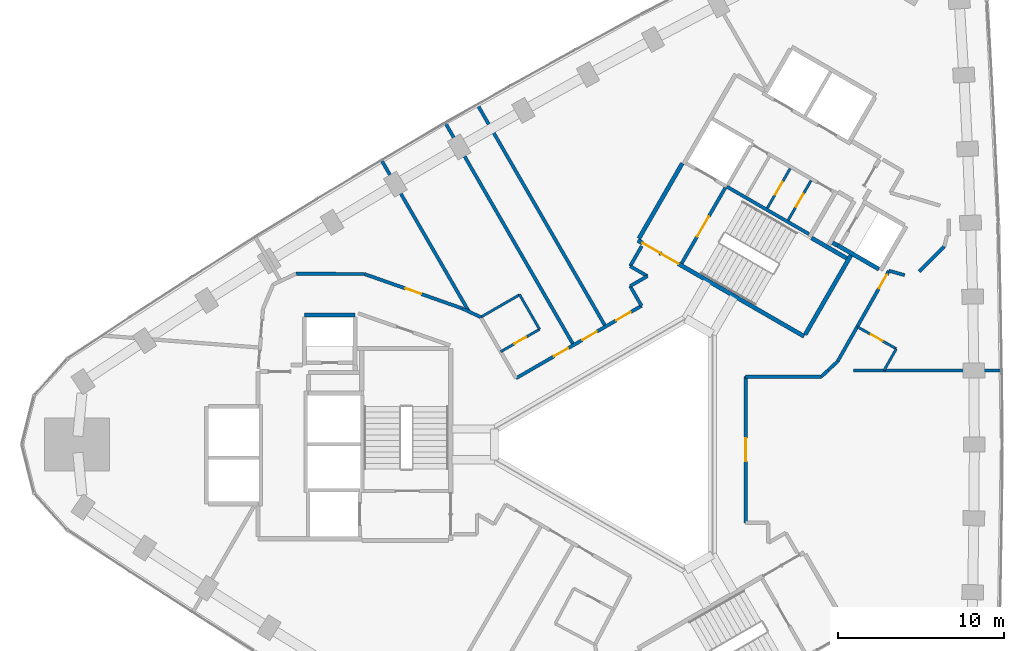
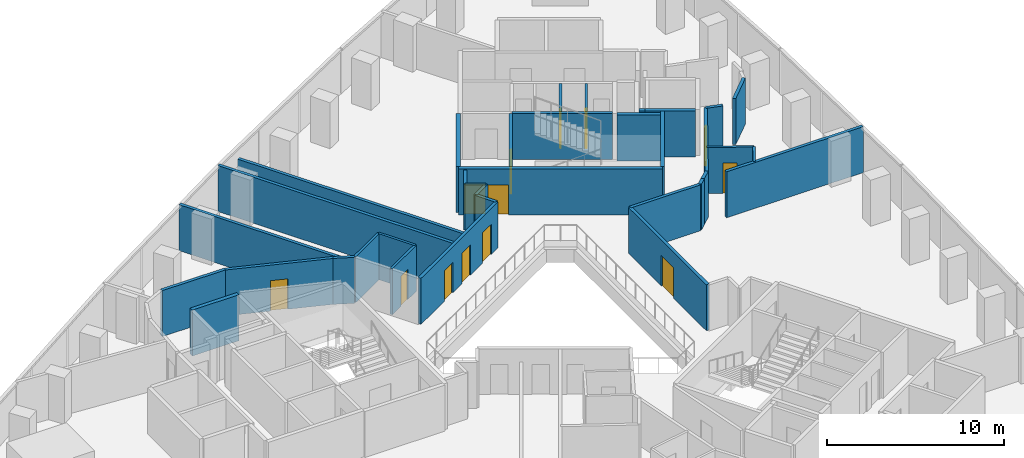
# One storey, part 10 of 12: 35 walls, 13 doors, 13 openings.
"""IFC4 building model written with IfcOpenShell, lengths in metres."""

from ifc_helpers import new_model, si_unit, direction, frame, frame_2d, origin, place, context, subcontext, project, spatial, rectangle, extrude, material, layer, layer_set, type_object, element, fill, save


model = new_model("IFC4")

# Units and contexts
model_context = context("Model", 3, precision=1e-05, world=origin(), true_north=direction((0.0, 1.0)))
body_context = subcontext(model_context, "Body", "Model", "MODEL_VIEW")
ifc_project = project(units=[si_unit("LENGTHUNIT", "METRE"), si_unit("AREAUNIT", "SQUARE_METRE"), si_unit("VOLUMEUNIT", "CUBIC_METRE"), si_unit("PLANEANGLEUNIT", "RADIAN"), si_unit("MASSUNIT", "GRAM", prefix="KILO")], contexts=[model_context])

# Site, building, storey
site_placement = place(None, origin())
site = spatial("IfcSite", under=ifc_project, at=site_placement, CompositionType="ELEMENT")
building_placement = place(site_placement, origin())
building = spatial("IfcBuilding", under=site, at=building_placement, Name="Tamra Quay Hotel Tower", CompositionType="ELEMENT")
storey_placement = place(building_placement, frame((0.0, 0.0, 83.0)))
storey = spatial("IfcBuildingStorey", under=building, at=storey_placement, Name="L19", CompositionType="ELEMENT", Elevation=83.0)

# Wall
ifc_material_1 = material(Name="Concrete M70", Category="concrete")
ifc_layer_1 = layer(ifc_material_1, 0.199951171875)
ifc_layer_set_1 = layer_set([ifc_layer_1], Name="Concrete M70 core wall 200")
wall_type_1 = type_object("IfcWallType", Name="Concrete M70 core wall 200", PredefinedType="SHEAR", material=ifc_layer_set_1)
wall_1_placement = place(storey_placement, frame((5.774658203125, 15.501953125, 0.0), z_axis=(0.0, 0.0, 1.0), x_axis=(0.866020080793, -0.500009219579, 0.0)))
element("IfcWall", 1, at=wall_1_placement, inside=storey, type_object=wall_type_1, Name="CW2", PredefinedType="SHEAR", context=body_context, shape_type="SweptSolid", body=[
    extrude(rectangle(XDim=5.69921875, YDim=0.199951171875, at=frame_2d((2.849609375, 0.0))), origin(), (0.0, 0.0, 1.0), 3.175048828125),
])

# Wall, opening, door
wall_2_placement = place(storey_placement, frame((3.056640625, 10.89453125, 0.0), z_axis=(0.0, 0.0, 1.0), x_axis=(0.499989418164, 0.866031513124, 0.0)))
wall_2 = element("IfcWall", 2, at=wall_2_placement, inside=storey, type_object=wall_type_1, Name="CW2", PredefinedType="SHEAR", context=body_context, shape_type="SweptSolid", body=[
    extrude(rectangle(XDim=5.2509765625, YDim=0.199951171875, at=frame_2d((2.62548828125, 0.0))), origin(), (0.0, 0.0, 1.0), 3.175048828125),
])
opening_1_placement = place(wall_2_placement, frame((1.84912109375, 0.0, 0.0)))
opening_1 = element("IfcOpeningElement", 3, at=opening_1_placement, cuts=wall_2, Name="Opening FD2", PredefinedType="OPENING", context=body_context, shape_type="SweptSolid", body=[
    extrude(rectangle(XDim=1.39990234375, YDim=2.10009765625, at=frame_2d((0.699951171875, 1.050048828125))), frame((0.0, 0.10986328125, 0.0), z_axis=(0.0, -1.0, 0.0), x_axis=(1.0, 0.0, 0.0)), (0.0, 0.0, 1.0), 0.219970703125),
])
ifc_material_2 = material(Name="Core door FD2 1400x2100 LH")
door_type_1 = type_object("IfcDoorType", Name="Core door FD2 1400x2100 LH", OperationType="NOTDEFINED", PredefinedType="DOOR", material=ifc_material_2)
door_1_placement = place(opening_1_placement, origin())
door_1 = element("IfcDoor", 4, at=door_1_placement, inside=storey, type_object=door_type_1, Name="FD2", OperationType="SINGLE_SWING_LEFT", OverallHeight=2.10009765625, OverallWidth=1.39990234375, PredefinedType="DOOR", context=body_context, shape_type="SweptSolid", body=[
    extrude(rectangle(XDim=1.39990234375, YDim=2.10009765625, at=frame_2d((0.699951171875, 1.050048828125))), frame((0.0, 0.02490234375, 0.0), z_axis=(0.0, -1.0, 0.0), x_axis=(1.0, 0.0, 0.0)), (0.0, 0.0, 1.0), 0.050048828125),
])
fill(opening_1, door_1)

# Wall
ifc_layer_2 = layer(ifc_material_1, 0.25)
ifc_layer_set_2 = layer_set([ifc_layer_2], Name="Concrete M70 core wall 250")
wall_type_2 = type_object("IfcWallType", Name="Concrete M70 core wall 250", PredefinedType="SHEAR", material=ifc_layer_set_2)
wall_3_placement = place(storey_placement, frame((-19.63720703125, 7.77490234375, 0.0), z_axis=(0.0, 0.0, 1.0), x_axis=(1.0, 0.0, 0.0)))
element("IfcWall", 5, at=wall_3_placement, inside=storey, type_object=wall_type_2, Name="CW1", PredefinedType="SHEAR", context=body_context, shape_type="SweptSolid", body=[
    extrude(rectangle(XDim=3.0498046875, YDim=0.25, at=frame_2d((1.52490234375, 0.0))), origin(), (0.0, 0.0, 1.0), 3.175048828125),
])

# Wall, openings, doors
wall_4_placement = place(storey_placement, frame((10.419921875, 6.497802734375, 0.0), z_axis=(0.0, 0.0, 1.0), x_axis=(-0.866021906294, 0.500006057782, 0.0)))
wall_4 = element("IfcWall", 6, at=wall_4_placement, inside=storey, type_object=wall_type_2, Name="CW1", PredefinedType="SHEAR", context=body_context, shape_type="SweptSolid", body=[
    extrude(rectangle(XDim=11.550048828125, YDim=0.25, at=frame_2d((5.77490234375, 0.0))), origin(), (0.0, 0.0, 1.0), 3.175048828125),
])
opening_2_placement = place(wall_4_placement, frame((10.02490234375, 0.0, 0.0)))
opening_2 = element("IfcOpeningElement", 7, at=opening_2_placement, cuts=wall_4, Name="Opening FD1", PredefinedType="OPENING", context=body_context, shape_type="SweptSolid", body=[
    extrude(rectangle(XDim=1.199951171875, YDim=2.10009765625, at=frame_2d((0.60009765625, 1.050048828125))), frame((0.0, 0.135009765625, 0.0), z_axis=(0.0, -1.0, 0.0), x_axis=(1.0, 0.0, 0.0)), (0.0, 0.0, 1.0), 0.27001953125),
])
opening_3_placement = place(wall_4_placement, frame((8.724853515625, 0.0, 0.0)))
opening_3 = element("IfcOpeningElement", 8, at=opening_3_placement, cuts=wall_4, Name="Opening FD1", PredefinedType="OPENING", context=body_context, shape_type="SweptSolid", body=[
    extrude(rectangle(XDim=1.199951171875, YDim=2.10009765625, at=frame_2d((0.60009765625, 1.050048828125))), frame((0.0, 0.135009765625, 0.0), z_axis=(0.0, -1.0, 0.0), x_axis=(1.0, 0.0, 0.0)), (0.0, 0.0, 1.0), 0.27001953125),
])
ifc_material_3 = material(Name="Core door FD1 1200x2100 LH")
door_type_2 = type_object("IfcDoorType", Name="Core door FD1 1200x2100 LH", OperationType="NOTDEFINED", PredefinedType="DOOR", material=ifc_material_3)
door_2_placement = place(opening_2_placement, origin())
door_2 = element("IfcDoor", 9, at=door_2_placement, inside=storey, type_object=door_type_2, Name="FD1", OperationType="SINGLE_SWING_LEFT", OverallHeight=2.10009765625, OverallWidth=1.199951171875, PredefinedType="DOOR", context=body_context, shape_type="SweptSolid", body=[
    extrude(rectangle(XDim=1.199951171875, YDim=2.10009765625, at=frame_2d((0.60009765625, 1.050048828125))), frame((0.0, 0.02490234375, 0.0), z_axis=(0.0, -1.0, 0.0), x_axis=(1.0, 0.0, 0.0)), (0.0, 0.0, 1.0), 0.050048828125),
])
fill(opening_2, door_2)
ifc_material_4 = material(Name="Core door FD1 1200x2100 RH")
door_type_3 = type_object("IfcDoorType", Name="Core door FD1 1200x2100 RH", OperationType="NOTDEFINED", PredefinedType="DOOR", material=ifc_material_4)
door_3_placement = place(opening_3_placement, origin())
door_3 = element("IfcDoor", 10, at=door_3_placement, inside=storey, type_object=door_type_3, Name="FD1", OperationType="SINGLE_SWING_RIGHT", OverallHeight=2.10009765625, OverallWidth=1.199951171875, PredefinedType="DOOR", context=body_context, shape_type="SweptSolid", body=[
    extrude(rectangle(XDim=1.199951171875, YDim=2.10009765625, at=frame_2d((0.60009765625, 1.050048828125))), frame((0.0, 0.02490234375, 0.0), z_axis=(0.0, -1.0, 0.0), x_axis=(1.0, 0.0, 0.0)), (0.0, 0.0, 1.0), 0.050048828125),
])
fill(opening_3, door_3)

# Walls
wall_5_placement = place(storey_placement, frame((0.47998046875, 12.38134765625, 0.0), z_axis=(0.0, 0.0, 1.0), x_axis=(0.49999885962, 0.866026062182, 0.0)))
element("IfcWall", 11, at=wall_5_placement, inside=storey, type_object=wall_type_2, Name="CW1", PredefinedType="SHEAR", context=body_context, shape_type="SweptSolid", body=[
    extrude(rectangle(XDim=5.224609375, YDim=0.25, at=frame_2d((2.6123046875, 0.0))), origin(), (0.0, 0.0, 1.0), 3.175048828125),
])
wall_6_placement = place(storey_placement, frame((13.237548828125, 11.3779296875, 0.0), z_axis=(0.0, 0.0, 1.0), x_axis=(-0.500008851346, -0.866020293397, 0.0)))
element("IfcWall", 12, at=wall_6_placement, inside=storey, type_object=wall_type_2, Name="CW1", PredefinedType="SHEAR", context=body_context, shape_type="SweptSolid", body=[
    extrude(rectangle(XDim=5.509765625, YDim=0.25, at=frame_2d((2.7548828125, 0.0))), origin(), (0.0, 0.0, 1.0), 3.175048828125),
])
wall_7_placement = place(storey_placement, frame((14.91845703125, 10.540283203125, 0.0), z_axis=(0.0, 0.0, 1.0), x_axis=(-0.866063538972, 0.499933942099, 0.0)))
element("IfcWall", 13, at=wall_7_placement, inside=storey, type_object=wall_type_2, Name="CW1", PredefinedType="SHEAR", context=body_context, shape_type="SweptSolid", body=[
    extrude(rectangle(XDim=2.86474609375, YDim=0.25, at=frame_2d((1.432373046875, 0.0))), origin(), (0.0, 0.0, 1.0), 3.175048828125),
])
wall_8_placement = place(storey_placement, frame((10.865234375, 12.41845703125, 0.0), z_axis=(0.0, 0.0, 1.0), x_axis=(0.866026229868, -0.499998569178, 0.0)))
element("IfcWall", 14, at=wall_8_placement, inside=storey, type_object=wall_type_2, Name="CW1", PredefinedType="SHEAR", context=body_context, shape_type="SweptSolid", body=[
    extrude(rectangle(XDim=2.44921875, YDim=0.25, at=frame_2d((1.224609375, 0.0))), origin(), (0.0, 0.0, 1.0), 3.175048828125),
])
wall_9_placement = place(storey_placement, frame((12.4326171875, 11.9638671875, 0.0), z_axis=(0.0, 0.0, 1.0), x_axis=(-0.866055875208, 0.499947218231, 0.0)))
element("IfcWall", 15, at=wall_9_placement, inside=storey, type_object=wall_type_2, Name="CW1", PredefinedType="SHEAR", context=body_context, shape_type="SweptSolid", body=[
    extrude(rectangle(XDim=0.3447265625, YDim=0.25, at=frame_2d((0.17236328125, 0.0))), origin(), (0.0, 0.0, 1.0), 3.175048828125),
])

# Wall, opening, door
ifc_material_5 = material(Name="Blockwork", Category="masonry")
ifc_layer_3 = layer(ifc_material_5, 0.14990234375)
ifc_layer_set_3 = layer_set([ifc_layer_3], Name="Core partition block 150")
wall_type_3 = type_object("IfcWallType", Name="Core partition block 150", PredefinedType="PARTITIONING", material=ifc_layer_set_3)
wall_10_placement = place(storey_placement, frame((9.462158203125, 13.4892578125, 0.0), z_axis=(0.0, 0.0, 1.0), x_axis=(0.50002746344, 0.86600954718, 0.0)))
wall_10 = element("IfcWall", 16, at=wall_10_placement, inside=storey, type_object=wall_type_3, Name="CP1", PredefinedType="PARTITIONING", context=body_context, shape_type="SweptSolid", body=[
    extrude(rectangle(XDim=2.748291015625, YDim=0.14990234375, at=frame_2d((1.3740234375, 0.0))), origin(), (0.0, 0.0, 1.0), 3.175048828125),
])
opening_4_placement = place(wall_10_placement, frame((0.92431640625, 0.0, 0.0)))
opening_4 = element("IfcOpeningElement", 17, at=opening_4_placement, cuts=wall_10, Name="Opening D2", PredefinedType="OPENING", context=body_context, shape_type="SweptSolid", body=[
    extrude(rectangle(XDim=0.89990234375, YDim=2.10009765625, at=frame_2d((0.449951171875, 1.050048828125))), frame((0.0, 0.0849609375, 0.0), z_axis=(0.0, -1.0, 0.0), x_axis=(1.0, 0.0, 0.0)), (0.0, 0.0, 1.0), 0.169921875),
])
ifc_material_6 = material(Name="Core door D2 900x2100 LH")
door_type_4 = type_object("IfcDoorType", Name="Core door D2 900x2100 LH", OperationType="NOTDEFINED", PredefinedType="DOOR", material=ifc_material_6)
door_4_placement = place(opening_4_placement, origin())
door_4 = element("IfcDoor", 18, at=door_4_placement, inside=storey, type_object=door_type_4, Name="D2", OperationType="SINGLE_SWING_LEFT", OverallHeight=2.10009765625, OverallWidth=0.89990234375, PredefinedType="DOOR", context=body_context, shape_type="SweptSolid", body=[
    extrude(rectangle(XDim=0.89990234375, YDim=2.10009765625, at=frame_2d((0.449951171875, 1.050048828125))), frame((0.0, 0.02490234375, 0.0), z_axis=(0.0, -1.0, 0.0), x_axis=(1.0, 0.0, 0.0)), (0.0, 0.0, 1.0), 0.050048828125),
])
fill(opening_4, door_4)

wall_11_placement = place(storey_placement, frame((8.20654296875, 14.214111328125, 0.0), z_axis=(0.0, 0.0, 1.0), x_axis=(0.499922376475, 0.866070215109, 0.0)))
wall_11 = element("IfcWall", 19, at=wall_11_placement, inside=storey, type_object=wall_type_3, Name="CP1", PredefinedType="PARTITIONING", context=body_context, shape_type="SweptSolid", body=[
    extrude(rectangle(XDim=2.74853515625, YDim=0.14990234375, at=frame_2d((1.374267578125, 0.0))), origin(), (0.0, 0.0, 1.0), 3.175048828125),
])
opening_5_placement = place(wall_11_placement, frame((0.92431640625, 0.0, 0.0)))
opening_5 = element("IfcOpeningElement", 20, at=opening_5_placement, cuts=wall_11, Name="Opening D2", PredefinedType="OPENING", context=body_context, shape_type="SweptSolid", body=[
    extrude(rectangle(XDim=0.89990234375, YDim=2.10009765625, at=frame_2d((0.449951171875, 1.050048828125))), frame((0.0, 0.0849609375, 0.0), z_axis=(0.0, -1.0, 0.0), x_axis=(1.0, 0.0, 0.0)), (0.0, 0.0, 1.0), 0.169921875),
])
ifc_material_7 = material(Name="Core door D2 900x2100 RH")
door_type_5 = type_object("IfcDoorType", Name="Core door D2 900x2100 RH", OperationType="NOTDEFINED", PredefinedType="DOOR", material=ifc_material_7)
door_5_placement = place(opening_5_placement, origin())
door_5 = element("IfcDoor", 21, at=door_5_placement, inside=storey, type_object=door_type_5, Name="D2", OperationType="SINGLE_SWING_RIGHT", OverallHeight=2.10009765625, OverallWidth=0.89990234375, PredefinedType="DOOR", context=body_context, shape_type="SweptSolid", body=[
    extrude(rectangle(XDim=0.89990234375, YDim=2.10009765625, at=frame_2d((0.449951171875, 1.050048828125))), frame((0.0, 0.02490234375, 0.0), z_axis=(0.0, -1.0, 0.0), x_axis=(1.0, 0.0, 0.0)), (0.0, 0.0, 1.0), 0.050048828125),
])
fill(opening_5, door_5)

# Wall
ifc_material_8 = material(Name="Partition corridor wall")
ifc_layer_4 = layer(ifc_material_8, 0.199951171875)
ifc_layer_set_4 = layer_set([ifc_layer_4], Name="Partition corridor wall")
wall_type_4 = type_object("IfcWallType", Name="Partition corridor wall", PredefinedType="PARTITIONING", material=ifc_layer_set_4)
wall_12_placement = place(storey_placement, frame((-20.14306640625, 10.26611328125, 0.0), z_axis=(0.0, 0.0, 1.0), x_axis=(0.999989297417, -0.004626559416, 0.0)))
element("IfcWall", 22, at=wall_12_placement, inside=storey, type_object=wall_type_4, Name="W-C", PredefinedType="PARTITIONING", context=body_context, shape_type="SweptSolid", body=[
    extrude(rectangle(XDim=4.115966796875, YDim=0.199951171875, at=frame_2d((2.05810546875, 0.0))), origin(), (0.0, 0.0, 1.0), 3.175048828125),
])

# Wall, opening, door
wall_13_placement = place(storey_placement, frame((-16.02587890625, 10.2470703125, 0.0), z_axis=(0.0, 0.0, 1.0), x_axis=(0.943302857381, -0.331933305434, 0.0)))
wall_13 = element("IfcWall", 23, at=wall_13_placement, inside=storey, type_object=wall_type_4, Name="W-C", PredefinedType="PARTITIONING", context=body_context, shape_type="SweptSolid", body=[
    extrude(rectangle(XDim=6.236328125, YDim=0.199951171875, at=frame_2d((3.1181640625, 0.0))), origin(), (0.0, 0.0, 1.0), 3.175048828125),
])
opening_6_placement = place(wall_13_placement, frame((2.618408203125, 0.0, 0.0)))
opening_6 = element("IfcOpeningElement", 24, at=opening_6_placement, cuts=wall_13, Name="Opening L19-D009", PredefinedType="OPENING", context=body_context, shape_type="SweptSolid", body=[
    extrude(rectangle(XDim=1.0, YDim=2.10009765625, at=frame_2d((0.5, 1.050048828125))), frame((0.0, 0.10986328125, 0.0), z_axis=(0.0, -1.0, 0.0), x_axis=(1.0, 0.0, 0.0)), (0.0, 0.0, 1.0), 0.219970703125),
])
ifc_material_9 = material(Name="Door guest room 1000x2100")
door_type_6 = type_object("IfcDoorType", Name="Door guest room 1000x2100", OperationType="NOTDEFINED", PredefinedType="DOOR", material=ifc_material_9)
door_6_placement = place(opening_6_placement, origin())
door_6 = element("IfcDoor", 25, at=door_6_placement, inside=storey, type_object=door_type_6, Name="L19-D009", OperationType="SINGLE_SWING_LEFT", OverallHeight=2.10009765625, OverallWidth=1.0, PredefinedType="DOOR", context=body_context, shape_type="SweptSolid", body=[
    extrude(rectangle(XDim=1.0, YDim=2.10009765625, at=frame_2d((0.5, 1.050048828125))), frame((0.0, 0.02490234375, 0.0), z_axis=(0.0, -1.0, 0.0), x_axis=(1.0, 0.0, 0.0)), (0.0, 0.0, 1.0), 0.050048828125),
])
fill(opening_6, door_6)

# Wall
wall_14_placement = place(storey_placement, frame((-10.14306640625, 8.1767578125, 0.0), z_axis=(0.0, 0.0, 1.0), x_axis=(0.904109978004, -0.427299833458, 0.0)))
element("IfcWall", 26, at=wall_14_placement, inside=storey, type_object=wall_type_4, Name="W-C", PredefinedType="PARTITIONING", context=body_context, shape_type="SweptSolid", body=[
    extrude(rectangle(XDim=1.227783203125, YDim=0.199951171875, at=frame_2d((0.61376953125, 0.0))), origin(), (0.0, 0.0, 1.0), 3.175048828125),
])

# Wall, openings, doors
wall_15_placement = place(storey_placement, frame((-6.9111328125, 3.977294921875, 0.0), z_axis=(0.0, 0.0, 1.0), x_axis=(0.86601303132, 0.500021429124, 0.0)))
wall_15 = element("IfcWall", 27, at=wall_15_placement, inside=storey, type_object=wall_type_4, Name="W-C", PredefinedType="PARTITIONING", context=body_context, shape_type="SweptSolid", body=[
    extrude(rectangle(XDim=8.7177734375, YDim=0.199951171875, at=frame_2d((4.35888671875, 0.0))), origin(), (0.0, 0.0, 1.0), 3.175048828125),
])
opening_7_placement = place(wall_15_placement, frame((4.608154296875, 0.0, 0.0)))
opening_7 = element("IfcOpeningElement", 28, at=opening_7_placement, cuts=wall_15, Name="Opening L19-D004", PredefinedType="OPENING", context=body_context, shape_type="SweptSolid", body=[
    extrude(rectangle(XDim=1.0, YDim=2.10009765625, at=frame_2d((0.5, 1.050048828125))), frame((0.0, 0.10986328125, 0.0), z_axis=(0.0, -1.0, 0.0), x_axis=(1.0, 0.0, 0.0)), (0.0, 0.0, 1.0), 0.219970703125),
])
opening_8_placement = place(wall_15_placement, frame((6.96240234375, 0.0, 0.0)))
opening_8 = element("IfcOpeningElement", 29, at=opening_8_placement, cuts=wall_15, Name="Opening L19-D005", PredefinedType="OPENING", context=body_context, shape_type="SweptSolid", body=[
    extrude(rectangle(XDim=1.0, YDim=2.10009765625, at=frame_2d((0.5, 1.050048828125))), frame((0.0, 0.10986328125, 0.0), z_axis=(0.0, -1.0, 0.0), x_axis=(1.0, 0.0, 0.0)), (0.0, 0.0, 1.0), 0.219970703125),
])
opening_9_placement = place(wall_15_placement, frame((2.64990234375, 0.0, 0.0)))
opening_9 = element("IfcOpeningElement", 30, at=opening_9_placement, cuts=wall_15, Name="Opening L19-D006", PredefinedType="OPENING", context=body_context, shape_type="SweptSolid", body=[
    extrude(rectangle(XDim=0.949951171875, YDim=2.10009765625, at=frame_2d((0.47509765625, 1.050048828125))), frame((0.0, 0.10986328125, 0.0), z_axis=(0.0, -1.0, 0.0), x_axis=(1.0, 0.0, 0.0)), (0.0, 0.0, 1.0), 0.219970703125),
])
door_7_placement = place(opening_7_placement, origin())
door_7 = element("IfcDoor", 31, at=door_7_placement, inside=storey, type_object=door_type_6, Name="L19-D004", OperationType="SINGLE_SWING_LEFT", OverallHeight=2.10009765625, OverallWidth=1.0, PredefinedType="DOOR", context=body_context, shape_type="SweptSolid", body=[
    extrude(rectangle(XDim=1.0, YDim=2.10009765625, at=frame_2d((0.5, 1.050048828125))), frame((0.0, 0.02490234375, 0.0), z_axis=(0.0, -1.0, 0.0), x_axis=(1.0, 0.0, 0.0)), (0.0, 0.0, 1.0), 0.050048828125),
])
fill(opening_7, door_7)
door_8_placement = place(opening_8_placement, origin())
door_8 = element("IfcDoor", 32, at=door_8_placement, inside=storey, type_object=door_type_6, Name="L19-D005", OperationType="SINGLE_SWING_LEFT", OverallHeight=2.10009765625, OverallWidth=1.0, PredefinedType="DOOR", context=body_context, shape_type="SweptSolid", body=[
    extrude(rectangle(XDim=1.0, YDim=2.10009765625, at=frame_2d((0.5, 1.050048828125))), frame((0.0, 0.02490234375, 0.0), z_axis=(0.0, -1.0, 0.0), x_axis=(1.0, 0.0, 0.0)), (0.0, 0.0, 1.0), 0.050048828125),
])
fill(opening_8, door_8)
ifc_material_10 = material(Name="Door guest room 950x2100")
door_type_7 = type_object("IfcDoorType", Name="Door guest room 950x2100", OperationType="NOTDEFINED", PredefinedType="DOOR", material=ifc_material_10)
door_9_placement = place(opening_9_placement, origin())
door_9 = element("IfcDoor", 33, at=door_9_placement, inside=storey, type_object=door_type_7, Name="L19-D006", OperationType="SINGLE_SWING_LEFT", OverallHeight=2.10009765625, OverallWidth=0.949951171875, PredefinedType="DOOR", context=body_context, shape_type="SweptSolid", body=[
    extrude(rectangle(XDim=0.949951171875, YDim=2.10009765625, at=frame_2d((0.47509765625, 1.050048828125))), frame((0.0, 0.02490234375, 0.0), z_axis=(0.0, -1.0, 0.0), x_axis=(1.0, 0.0, 0.0)), (0.0, 0.0, 1.0), 0.050048828125),
])
fill(opening_9, door_9)

# Walls
wall_16_placement = place(storey_placement, frame((-0.044921875, 9.52099609375, 0.0), z_axis=(0.0, 0.0, 1.0), x_axis=(0.499804837697, -0.866138051476, 0.0)))
element("IfcWall", 34, at=wall_16_placement, inside=storey, type_object=wall_type_4, Name="W-C", PredefinedType="PARTITIONING", context=body_context, shape_type="SweptSolid", body=[
    extrude(rectangle(XDim=1.3681640625, YDim=0.199951171875, at=frame_2d((0.68408203125, 0.0))), origin(), (0.0, 0.0, 1.0), 3.175048828125),
])
wall_17_placement = place(storey_placement, frame((-0.044921875, 9.52197265625, 0.0), z_axis=(0.0, 0.0, 1.0), x_axis=(0.86625675314, 0.499599076899, 0.0)))
element("IfcWall", 35, at=wall_17_placement, inside=storey, type_object=wall_type_4, Name="W-C", PredefinedType="PARTITIONING", context=body_context, shape_type="SweptSolid", body=[
    extrude(rectangle(XDim=1.19921875, YDim=0.199951171875, at=frame_2d((0.599609375, 0.0))), origin(), (0.0, 0.0, 1.0), 3.175048828125),
])
wall_18_placement = place(storey_placement, frame((-0.044921875, 10.721923828125, 0.0), z_axis=(0.0, 0.0, 1.0), x_axis=(0.500107785535, 0.865963164833, 0.0)))
element("IfcWall", 36, at=wall_18_placement, inside=storey, type_object=wall_type_4, Name="W-C", PredefinedType="PARTITIONING", context=body_context, shape_type="SweptSolid", body=[
    extrude(rectangle(XDim=1.389404296875, YDim=0.199951171875, at=frame_2d((0.69482421875, 0.0))), origin(), (0.0, 0.0, 1.0), 3.175048828125),
])
wall_19_placement = place(storey_placement, frame((-0.044921875, 10.720947265625, 0.0), z_axis=(0.0, 0.0, 1.0), x_axis=(0.865992388649, -0.500057179532, 0.0)))
element("IfcWall", 37, at=wall_19_placement, inside=storey, type_object=wall_type_4, Name="W-C", PredefinedType="PARTITIONING", context=body_context, shape_type="SweptSolid", body=[
    extrude(rectangle(XDim=1.199462890625, YDim=0.199951171875, at=frame_2d((0.599609375, 0.0))), origin(), (0.0, 0.0, 1.0), 3.175048828125),
])

# Wall, opening, door
wall_20_placement = place(storey_placement, frame((6.89990234375, -4.720947265625, 0.0), z_axis=(0.0, 0.0, 1.0), x_axis=(0.0, 1.0, 0.0)))
wall_20 = element("IfcWall", 38, at=wall_20_placement, inside=storey, type_object=wall_type_4, Name="W-C", PredefinedType="PARTITIONING", context=body_context, shape_type="SweptSolid", body=[
    extrude(rectangle(XDim=8.798828125, YDim=0.199951171875, at=frame_2d((4.3994140625, 0.0))), origin(), (0.0, 0.0, 1.0), 3.175048828125),
])
opening_10_placement = place(wall_20_placement, frame((3.699462890625, 0.0, 0.0)))
opening_10 = element("IfcOpeningElement", 39, at=opening_10_placement, cuts=wall_20, Name="Opening L19-D001", PredefinedType="OPENING", context=body_context, shape_type="SweptSolid", body=[
    extrude(rectangle(XDim=1.39990234375, YDim=2.10009765625, at=frame_2d((0.699951171875, 1.050048828125))), frame((0.0, 0.10986328125, 0.0), z_axis=(0.0, -1.0, 0.0), x_axis=(1.0, 0.0, 0.0)), (0.0, 0.0, 1.0), 0.219970703125),
])
ifc_material_11 = material(Name="Door double leaf 1400x2100")
door_type_8 = type_object("IfcDoorType", Name="Door double leaf 1400x2100", OperationType="DOUBLE_DOOR_SINGLE_SWING", PredefinedType="DOOR", material=ifc_material_11)
door_10_placement = place(opening_10_placement, frame((1.39990234375, 0.0, 0.0), z_axis=(0.0, 0.0, 1.0), x_axis=(-1.0, 0.0, 0.0)))
door_10 = element("IfcDoor", 40, at=door_10_placement, inside=storey, type_object=door_type_8, Name="L19-D001", OperationType="DOUBLE_DOOR_SINGLE_SWING", OverallHeight=2.10009765625, OverallWidth=1.39990234375, PredefinedType="DOOR", context=body_context, shape_type="SweptSolid", body=[
    extrude(rectangle(XDim=1.39990234375, YDim=2.10009765625, at=frame_2d((0.699951171875, 1.050048828125))), frame((0.0, 0.02490234375, 0.0), z_axis=(0.0, -1.0, 0.0), x_axis=(1.0, 0.0, 0.0)), (0.0, 0.0, 1.0), 0.050048828125),
])
fill(opening_10, door_10)

# Walls
wall_21_placement = place(storey_placement, frame((6.89990234375, 4.077880859375, 0.0), z_axis=(0.0, 0.0, 1.0), x_axis=(1.0, 0.0, 0.0)))
element("IfcWall", 41, at=wall_21_placement, inside=storey, type_object=wall_type_4, Name="W-C", PredefinedType="PARTITIONING", context=body_context, shape_type="SweptSolid", body=[
    extrude(rectangle(XDim=4.55810546875, YDim=0.199951171875, at=frame_2d((2.279052734375, 0.0))), origin(), (0.0, 0.0, 1.0), 3.175048828125),
])
wall_22_placement = place(storey_placement, frame((11.4580078125, 4.077880859375, 0.0), z_axis=(0.0, 0.0, 1.0), x_axis=(0.730044754355, 0.683399339068, 0.0)))
element("IfcWall", 42, at=wall_22_placement, inside=storey, type_object=wall_type_4, Name="W-C", PredefinedType="PARTITIONING", context=body_context, shape_type="SweptSolid", body=[
    extrude(rectangle(XDim=0.5546875, YDim=0.199951171875, at=frame_2d((0.27734375, 0.0))), origin(), (0.0, 0.0, 1.0), 3.175048828125),
])

# Wall, opening, door
wall_23_placement = place(storey_placement, frame((12.43359375, 4.99169921875, 0.0), z_axis=(0.0, 0.0, 1.0), x_axis=(0.492587091186, 0.870263154222, 0.0)))
wall_23 = element("IfcWall", 43, at=wall_23_placement, inside=storey, type_object=wall_type_4, Name="W-C", PredefinedType="PARTITIONING", context=body_context, shape_type="SweptSolid", body=[
    extrude(rectangle(XDim=6.269775390625, YDim=0.199951171875, at=frame_2d((3.134765625, 0.0))), origin(), (0.0, 0.0, 1.0), 3.175048828125),
])
opening_11_placement = place(wall_23_placement, frame((5.0380859375, 0.0, 0.0)))
opening_11 = element("IfcOpeningElement", 44, at=opening_11_placement, cuts=wall_23, Name="Opening L19-D002", PredefinedType="OPENING", context=body_context, shape_type="SweptSolid", body=[
    extrude(rectangle(XDim=0.949951171875, YDim=2.10009765625, at=frame_2d((0.47509765625, 1.050048828125))), frame((0.0, 0.10986328125, 0.0), z_axis=(0.0, -1.0, 0.0), x_axis=(1.0, 0.0, 0.0)), (0.0, 0.0, 1.0), 0.219970703125),
])
door_11_placement = place(opening_11_placement, origin())
door_11 = element("IfcDoor", 45, at=door_11_placement, inside=storey, type_object=door_type_7, Name="L19-D002", OperationType="SINGLE_SWING_LEFT", OverallHeight=2.10009765625, OverallWidth=0.949951171875, PredefinedType="DOOR", context=body_context, shape_type="SweptSolid", body=[
    extrude(rectangle(XDim=0.949951171875, YDim=2.10009765625, at=frame_2d((0.47509765625, 1.050048828125))), frame((0.0, 0.02490234375, 0.0), z_axis=(0.0, -1.0, 0.0), x_axis=(1.0, 0.0, 0.0)), (0.0, 0.0, 1.0), 0.050048828125),
])
fill(opening_11, door_11)

# Walls
wall_24_placement = place(storey_placement, frame((15.52197265625, 10.447998046875, 0.0), z_axis=(0.0, 0.0, 1.0), x_axis=(0.961673491185, -0.274197185164, 0.0)))
element("IfcWall", 46, at=wall_24_placement, inside=storey, type_object=wall_type_4, Name="W-C", PredefinedType="PARTITIONING", context=body_context, shape_type="SweptSolid", body=[
    extrude(rectangle(XDim=0.98486328125, YDim=0.199951171875, at=frame_2d((0.492431640625, 0.0))), origin(), (0.0, 0.0, 1.0), 3.175048828125),
])
wall_25_placement = place(storey_placement, frame((17.35205078125, 10.406982421875, 0.0), z_axis=(0.0, 0.0, 1.0), x_axis=(0.707106781187, 0.707106781187, 0.0)))
element("IfcWall", 47, at=wall_25_placement, inside=storey, type_object=wall_type_4, Name="W-C", PredefinedType="PARTITIONING", context=body_context, shape_type="SweptSolid", body=[
    extrude(rectangle(XDim=2.121337890625, YDim=0.199951171875, at=frame_2d((1.060546875, 0.0))), origin(), (0.0, 0.0, 1.0), 3.175048828125),
])
wall_26_placement = place(storey_placement, frame((12.43359375, 4.99169921875, 0.0), z_axis=(0.0, 0.0, 1.0), x_axis=(-0.730130737703, -0.683307475345, 0.0)))
element("IfcWall", 48, at=wall_26_placement, inside=storey, type_object=wall_type_4, Name="W-C", PredefinedType="PARTITIONING", context=body_context, shape_type="SweptSolid", body=[
    extrude(rectangle(XDim=0.7822265625, YDim=0.199951171875, at=frame_2d((0.39111328125, 0.0))), origin(), (0.0, 0.0, 1.0), 3.175048828125),
])
ifc_material_12 = material(Name="Partition en-suite wall")
ifc_layer_5 = layer(ifc_material_12, 0.14990234375)
ifc_layer_set_5 = layer_set([ifc_layer_5], Name="Partition en-suite wall")
wall_type_5 = type_object("IfcWallType", Name="Partition en-suite wall", PredefinedType="PARTITIONING", material=ifc_layer_set_5)
wall_27_placement = place(storey_placement, frame((-9.032958984375, 7.652099609375, 0.0), z_axis=(0.0, 0.0, 1.0), x_axis=(0.866013897511, 0.50001992892, 0.0)))
element("IfcWall", 49, at=wall_27_placement, inside=storey, type_object=wall_type_5, Name="W-E", PredefinedType="PARTITIONING", context=body_context, shape_type="SweptSolid", body=[
    extrude(rectangle(XDim=2.69970703125, YDim=0.14990234375, at=frame_2d((1.349853515625, 0.0))), origin(), (0.0, 0.0, 1.0), 3.175048828125),
])

# Wall, opening, door
wall_28_placement = place(storey_placement, frame((-7.8330078125, 5.573974609375, 0.0), z_axis=(0.0, 0.0, 1.0), x_axis=(0.865974735705, 0.50008774942, 0.0)))
wall_28 = element("IfcWall", 50, at=wall_28_placement, inside=storey, type_object=wall_type_5, Name="W-E", PredefinedType="PARTITIONING", context=body_context, shape_type="SweptSolid", body=[
    extrude(rectangle(XDim=2.69970703125, YDim=0.14990234375, at=frame_2d((1.349853515625, 0.0))), origin(), (0.0, 0.0, 1.0), 3.175048828125),
])
opening_12_placement = place(wall_28_placement, frame((0.949951171875, 0.0, 0.0)))
opening_12 = element("IfcOpeningElement", 51, at=opening_12_placement, cuts=wall_28, Name="Opening L19-D007", PredefinedType="OPENING", context=body_context, shape_type="SweptSolid", body=[
    extrude(rectangle(XDim=0.800048828125, YDim=2.10009765625, at=frame_2d((0.39990234375, 1.050048828125))), frame((0.0, 0.0849609375, 0.0), z_axis=(0.0, -1.0, 0.0), x_axis=(1.0, 0.0, 0.0)), (0.0, 0.0, 1.0), 0.169921875),
])
ifc_material_13 = material(Name="Door en-suite 800x2100")
door_type_9 = type_object("IfcDoorType", Name="Door en-suite 800x2100", OperationType="NOTDEFINED", PredefinedType="DOOR", material=ifc_material_13)
door_12_placement = place(opening_12_placement, origin())
door_12 = element("IfcDoor", 52, at=door_12_placement, inside=storey, type_object=door_type_9, Name="L19-D007", OperationType="SINGLE_SWING_LEFT", OverallHeight=2.10009765625, OverallWidth=0.800048828125, PredefinedType="DOOR", context=body_context, shape_type="SweptSolid", body=[
    extrude(rectangle(XDim=0.800048828125, YDim=2.10009765625, at=frame_2d((0.39990234375, 1.050048828125))), frame((0.0, 0.02490234375, 0.0), z_axis=(0.0, -1.0, 0.0), x_axis=(1.0, 0.0, 0.0)), (0.0, 0.0, 1.0), 0.050048828125),
])
fill(opening_12, door_12)

# Wall
wall_29_placement = place(storey_placement, frame((-6.695068359375, 9.001953125, 0.0), z_axis=(0.0, 0.0, 1.0), x_axis=(0.500089422704, -0.865973769406, 0.0)))
element("IfcWall", 53, at=wall_29_placement, inside=storey, type_object=wall_type_5, Name="W-E", PredefinedType="PARTITIONING", context=body_context, shape_type="SweptSolid", body=[
    extrude(rectangle(XDim=2.3994140625, YDim=0.14990234375, at=frame_2d((1.19970703125, 0.0))), origin(), (0.0, 0.0, 1.0), 3.175048828125),
])

# Wall, opening, door
wall_30_placement = place(storey_placement, frame((13.6201171875, 7.075927734375, 0.0), z_axis=(0.0, 0.0, 1.0), x_axis=(0.870642347791, -0.491916560235, 0.0)))
wall_30 = element("IfcWall", 54, at=wall_30_placement, inside=storey, type_object=wall_type_5, Name="W-E", PredefinedType="PARTITIONING", context=body_context, shape_type="SweptSolid", body=[
    extrude(rectangle(XDim=2.6875, YDim=0.14990234375, at=frame_2d((1.34375, 0.0))), origin(), (0.0, 0.0, 1.0), 3.175048828125),
])
opening_13_placement = place(wall_30_placement, frame((0.94384765625, 0.0, 0.0)))
opening_13 = element("IfcOpeningElement", 55, at=opening_13_placement, cuts=wall_30, Name="Opening L19-D003", PredefinedType="OPENING", context=body_context, shape_type="SweptSolid", body=[
    extrude(rectangle(XDim=0.800048828125, YDim=2.10009765625, at=frame_2d((0.39990234375, 1.050048828125))), frame((0.0, 0.0849609375, 0.0), z_axis=(0.0, -1.0, 0.0), x_axis=(1.0, 0.0, 0.0)), (0.0, 0.0, 1.0), 0.169921875),
])
door_13_placement = place(opening_13_placement, origin())
door_13 = element("IfcDoor", 56, at=door_13_placement, inside=storey, type_object=door_type_9, Name="L19-D003", OperationType="SINGLE_SWING_LEFT", OverallHeight=2.10009765625, OverallWidth=0.800048828125, PredefinedType="DOOR", context=body_context, shape_type="SweptSolid", body=[
    extrude(rectangle(XDim=0.800048828125, YDim=2.10009765625, at=frame_2d((0.39990234375, 1.050048828125))), frame((0.0, 0.02490234375, 0.0), z_axis=(0.0, -1.0, 0.0), x_axis=(1.0, 0.0, 0.0)), (0.0, 0.0, 1.0), 0.050048828125),
])
fill(opening_13, door_13)

# Walls
wall_31_placement = place(storey_placement, frame((15.22607421875, 4.446044921875, 0.0), z_axis=(0.0, 0.0, 1.0), x_axis=(0.49313192832, 0.869954539773, 0.0)))
element("IfcWall", 57, at=wall_31_placement, inside=storey, type_object=wall_type_5, Name="W-E", PredefinedType="PARTITIONING", context=body_context, shape_type="SweptSolid", body=[
    extrude(rectangle(XDim=1.49658203125, YDim=0.14990234375, at=frame_2d((0.748291015625, 0.0))), origin(), (0.0, 0.0, 1.0), 3.175048828125),
])
ifc_material_14 = material(Name="Partition party wall")
ifc_layer_6 = layer(ifc_material_14, 0.199951171875)
ifc_layer_set_6 = layer_set([ifc_layer_6], Name="Partition party wall")
wall_type_6 = type_object("IfcWallType", Name="Partition party wall", PredefinedType="PARTITIONING", material=ifc_layer_set_6)
wall_32_placement = place(storey_placement, frame((-15.000732421875, 17.092041015625, 0.0), z_axis=(0.0, 0.0, 1.0), x_axis=(0.500045432254, -0.865999171872, 0.0)))
element("IfcWall", 58, at=wall_32_placement, inside=storey, type_object=wall_type_6, Name="W-P", PredefinedType="PARTITIONING", context=body_context, shape_type="SweptSolid", body=[
    extrude(rectangle(XDim=10.5126953125, YDim=0.199951171875, at=frame_2d((5.25634765625, 0.0))), origin(), (0.0, 0.0, 1.0), 3.175048828125),
])
wall_33_placement = place(storey_placement, frame((-11.16357421875, 19.3369140625, 0.0), z_axis=(0.0, 0.0, 1.0), x_axis=(0.499987290604, -0.866032741433, 0.0)))
element("IfcWall", 59, at=wall_33_placement, inside=storey, type_object=wall_type_6, Name="W-P", PredefinedType="PARTITIONING", context=body_context, shape_type="SweptSolid", body=[
    extrude(rectangle(XDim=15.427734375, YDim=0.199951171875, at=frame_2d((7.7138671875, 0.0))), origin(), (0.0, 0.0, 1.0), 3.175048828125),
])
wall_34_placement = place(storey_placement, frame((-9.232666015625, 20.43701171875, 0.0), z_axis=(0.0, 0.0, 1.0), x_axis=(0.50000395041, -0.866023123002, 0.0)))
element("IfcWall", 60, at=wall_34_placement, inside=storey, type_object=wall_type_6, Name="W-P", PredefinedType="PARTITIONING", context=body_context, shape_type="SweptSolid", body=[
    extrude(rectangle(XDim=15.41552734375, YDim=0.199951171875, at=frame_2d((7.707763671875, 0.0))), origin(), (0.0, 0.0, 1.0), 2.27490234375),
])
wall_35_placement = place(storey_placement, frame((13.375, 4.445068359375, 0.0), z_axis=(0.0, 0.0, 1.0), x_axis=(1.0, 0.0, 0.0)))
element("IfcWall", 61, at=wall_35_placement, inside=storey, type_object=wall_type_6, Name="W-P", PredefinedType="PARTITIONING", context=body_context, shape_type="SweptSolid", body=[
    extrude(rectangle(XDim=8.927490234375, YDim=0.199951171875, at=frame_2d((4.4638671875, 0.0))), origin(), (0.0, 0.0, 1.0), 3.175048828125),
])

save(model, "model.ifc")
